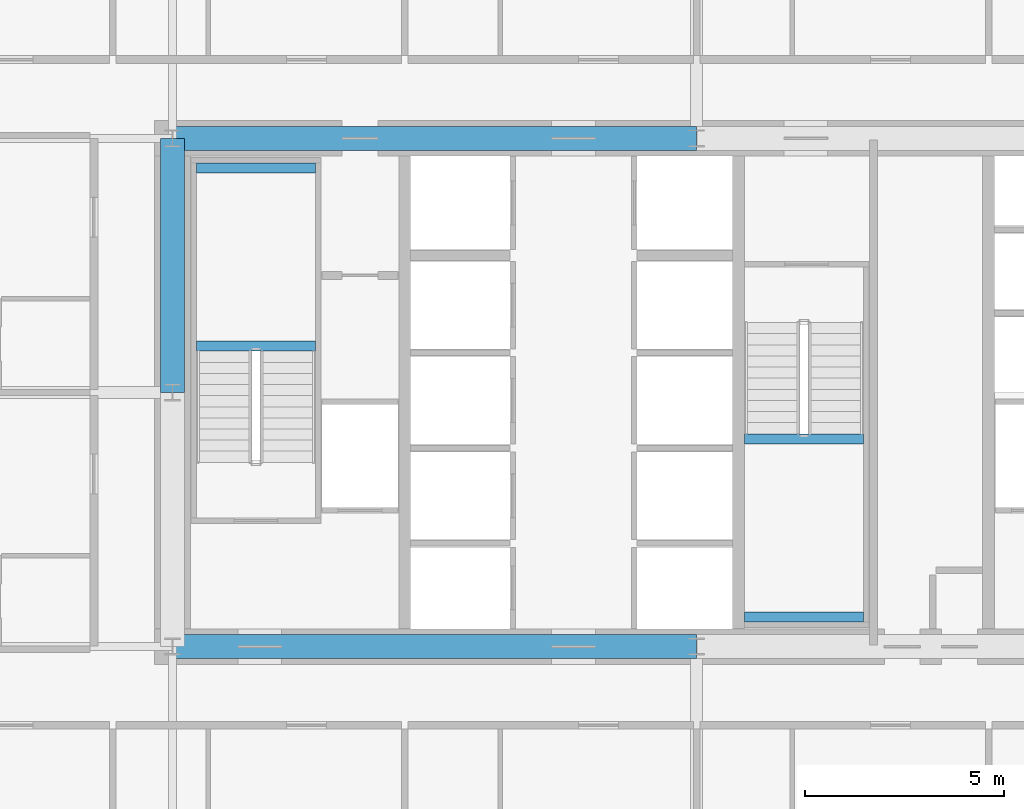
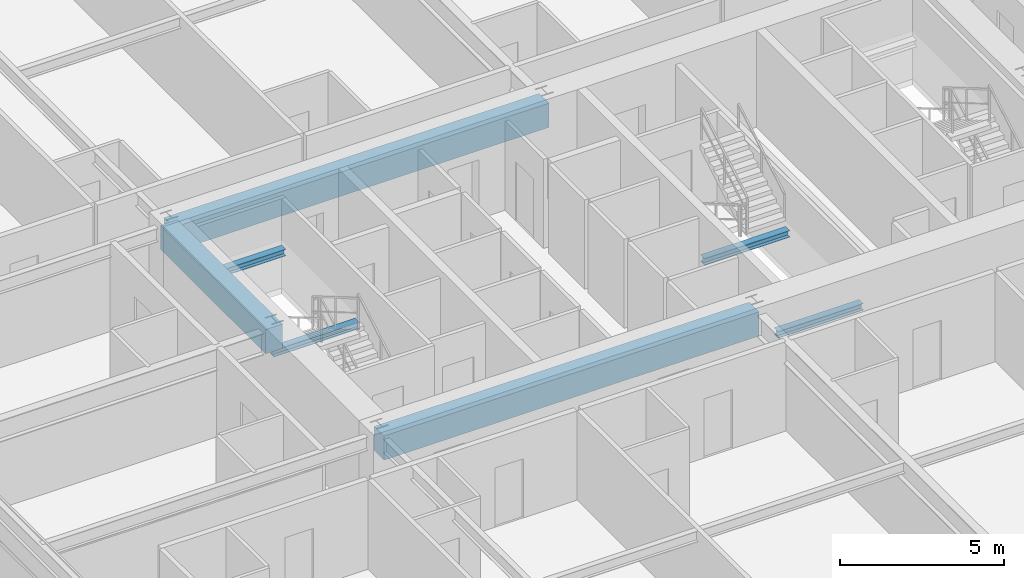
# One storey, part 12 of 43: 7 beams.
"""IFC4 building model written with IfcOpenShell, lengths in metres."""

from ifc_helpers import new_model, si_unit, direction, frame, origin, origin_2d, place, context, subcontext, project, spatial, rectangle, i_section, extrude, source, transform, mapped, material, material_profile, profile_set, type_object, element, save


model = new_model("IFC4")

# Units and contexts
model_context = context("Model", 3, precision=1e-05, world=origin(), true_north=direction((0.0, 1.0)))
body_context = subcontext(model_context, "Body", "Model", "MODEL_VIEW")
ifc_project = project(units=[si_unit("LENGTHUNIT", "METRE"), si_unit("AREAUNIT", "SQUARE_METRE"), si_unit("VOLUMEUNIT", "CUBIC_METRE"), si_unit("PLANEANGLEUNIT", "RADIAN"), si_unit("MASSUNIT", "GRAM", prefix="KILO"), si_unit("THERMODYNAMICTEMPERATUREUNIT", "KELVIN"), si_unit("POWERUNIT", "WATT")], contexts=[model_context])

# Site, building, storey
site_placement = place(None, origin())
site = spatial("IfcSite", under=ifc_project, at=site_placement, CompositionType="ELEMENT")
building_placement = place(site_placement, origin())
building = spatial("IfcBuilding", under=site, at=building_placement, Name="Yuzanri Waterfront Tower", CompositionType="ELEMENT")
storey_placement = place(building_placement, frame((0.0, 0.0, 37.800048828125)))
storey = spatial("IfcBuildingStorey", under=building, at=storey_placement, Name="L09", CompositionType="ELEMENT", Elevation=37.800048828125)

# Beams
ifc_material_1 = material(Name="Concrete C60", Category="concrete")
ifc_material_profile_1 = material_profile(ifc_material_1, rectangle(XDim=0.60009765625, YDim=0.89990234375, at=origin_2d()), Name="RC 600x900")
ifc_profile_set_1 = profile_set([ifc_material_profile_1], Name="Concrete C60")
beam_type_1 = type_object("IfcBeamType", Name="Core Coupling Lintel Concrete C60 600x900", PredefinedType="LINTEL", material=ifc_profile_set_1)
shared_shape_1 = source(origin(), body_context, "Body", "SweptSolid", [
    extrude(rectangle(XDim=0.60009765625, YDim=0.89990234375, at=origin_2d()), origin(), (0.0, 0.0, 1.0), 13.199951171875),
])
for number, where, z_axis, x_axis, name in (
    (1, (23.800048828125, 19.39990234375, 2.869873046875), (1.0, 0.0, 0.0), (0.0, 1.0, 0.0), "L09 Core Tie Beam CS1"),
    (2, (23.800048828125, 32.199951171875, 2.869873046875), (1.0, 0.0, 0.0), (0.0, 1.0, 0.0), "L09 Core Tie Beam CN1"),
):
    element("IfcBeam", number, at=place(storey_placement, frame(where, z_axis=z_axis, x_axis=x_axis)), inside=storey, type_object=beam_type_1, Name=name, PredefinedType="LINTEL", context=body_context, shape_type="MappedRepresentation", body=[
        mapped(shared_shape_1, transform((0.0, 0.0, 0.0), scale=1.0)),
    ])
shared_shape_2 = source(origin(), body_context, "Body", "SweptSolid", [
    extrude(rectangle(XDim=0.60009765625, YDim=0.89990234375, at=origin_2d()), origin(), (0.0, 0.0, 1.0), 6.39990234375),
])
beam_placement = place(storey_placement, frame((23.800048828125, 25.800048828125, 2.869873046875), z_axis=(0.0, 1.0, 0.0), x_axis=(-1.0, 0.0, 0.0)))
element("IfcBeam", 3, at=beam_placement, inside=storey, type_object=beam_type_1, Name="L09 Core Tie Beam CW2", PredefinedType="LINTEL", context=body_context, shape_type="MappedRepresentation", body=[
    mapped(shared_shape_2, transform((0.0, 0.0, 0.0), scale=1.0)),
])
ifc_material_2 = material(Name="Steel Q355B", Category="steel")
ifc_material_profile_2 = material_profile(ifc_material_2, i_section(OverallWidth=0.25, OverallDepth=0.25, WebThickness=0.009033203125, FlangeThickness=0.013916015625, at=origin_2d()), Name="HW 250x250x9x14")
ifc_profile_set_2 = profile_set([ifc_material_profile_2], Name="Steel Q355B")
beam_type_2 = type_object("IfcBeamType", Name="Stair Landing Support Beam Q355B HW 250x250", PredefinedType="BEAM", material=ifc_profile_set_2)
shared_shape_3 = source(origin(), body_context, "Body", "SweptSolid", [
    extrude(i_section(OverallWidth=0.25, OverallDepth=0.25, WebThickness=0.009033203125, FlangeThickness=0.013916015625, at=origin_2d()), origin(), (0.0, 0.0, 1.0), 3.0),
])
for number, where, z_axis, x_axis, name in (
    (4, (24.39990234375, 26.969970703125, 1.474853515625), (1.0, 0.0, 0.0), (0.0, 1.0, 0.0), "L09 Stair Landing Support Beam ST-01-L09-L1-1"),
    (5, (24.39990234375, 31.449951171875, 1.474853515625), (1.0, 0.0, 0.0), (0.0, 1.0, 0.0), "L09 Stair Landing Support Beam ST-01-L09-L1-2"),
    (6, (38.199951171875, 20.14990234375, 1.474853515625), (1.0, 0.0, 0.0), (0.0, 1.0, 0.0), "L09 Stair Landing Support Beam ST-03-L09-L1-1"),
    (7, (38.199951171875, 24.6298828125, 1.474853515625), (1.0, 0.0, 0.0), (0.0, 1.0, 0.0), "L09 Stair Landing Support Beam ST-03-L09-L1-2"),
):
    element("IfcBeam", number, at=place(storey_placement, frame(where, z_axis=z_axis, x_axis=x_axis)), inside=storey, type_object=beam_type_2, Name=name, PredefinedType="BEAM", context=body_context, shape_type="MappedRepresentation", body=[
        mapped(shared_shape_3, transform((0.0, 0.0, 0.0), scale=1.0)),
    ])

save(model, "model.ifc")
